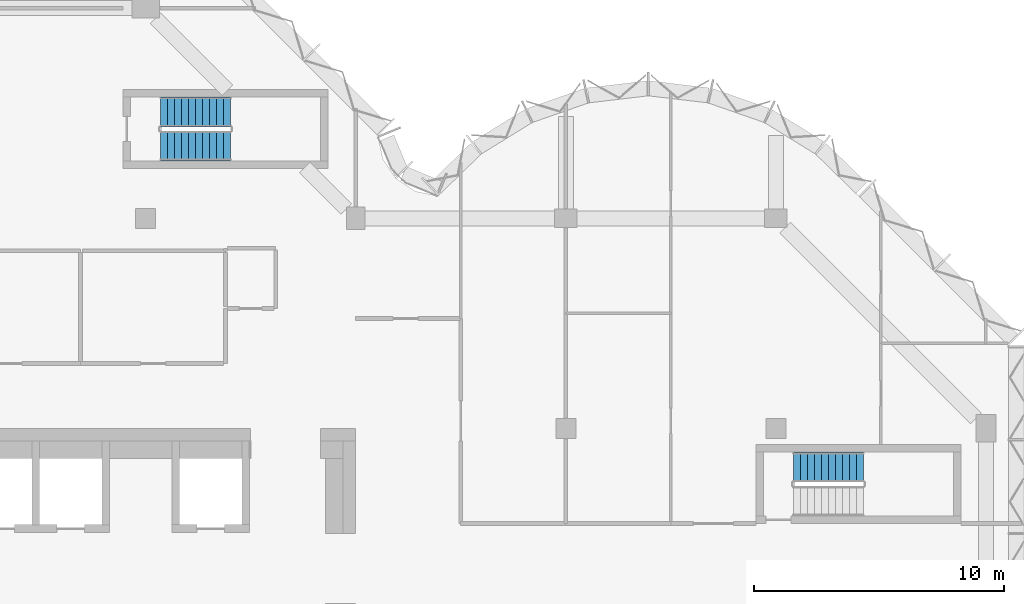
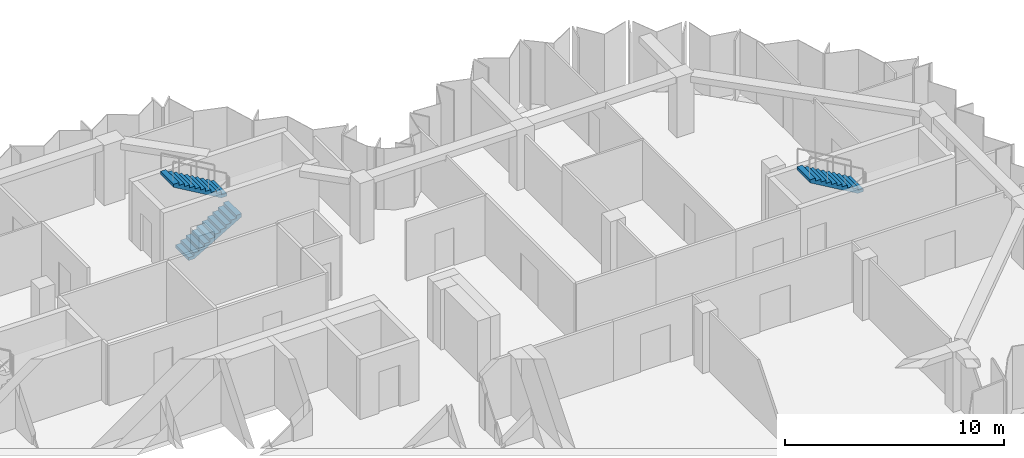
# One storey, part 8 of 10: 3 stair flights, 2 elements without a shape of their own.
"""IFC4 building model written with IfcOpenShell, lengths in metres."""

from ifc_helpers import new_model, si_unit, direction, frame, origin, place, context, subcontext, project, spatial, polyline, outline, extrude, material, type_object, element, aggregate, save


model = new_model("IFC4")

# Units and contexts
model_context = context("Model", 3, precision=1e-05, world=origin(), true_north=direction((0.0, 1.0)))
body_context = subcontext(model_context, "Body", "Model", "MODEL_VIEW")
ifc_project = project(units=[si_unit("LENGTHUNIT", "METRE"), si_unit("AREAUNIT", "SQUARE_METRE"), si_unit("VOLUMEUNIT", "CUBIC_METRE"), si_unit("PLANEANGLEUNIT", "RADIAN"), si_unit("MASSUNIT", "GRAM", prefix="KILO")], contexts=[model_context])

# Site, building, storey
site_placement = place(None, origin())
site = spatial("IfcSite", under=ifc_project, at=site_placement, CompositionType="ELEMENT")
building_placement = place(site_placement, origin())
building = spatial("IfcBuilding", under=site, at=building_placement, Name="Brevane Broadcast Tower", CompositionType="ELEMENT")
storey_placement = place(building_placement, frame((0.0, 0.0, 230.10009765625)))
storey = spatial("IfcBuildingStorey", under=building, at=storey_placement, Name="L58", CompositionType="ELEMENT", Elevation=230.10009765625)

# Stair, stair flights
ifc_material = material(Name="Concrete C50/60", Category="concrete")
stair_type = type_object("IfcStairType", Name="Exit stair 22 risers", PredefinedType="HALF_TURN_STAIR", material=ifc_material)
stair_1_placement = place(storey_placement, origin())
stair_1 = element("IfcStair", 1, at=stair_1_placement, inside=storey, type_object=stair_type, Name="L58 Exit stair ST-3", PredefinedType="HALF_TURN_STAIR")
stair_flight_type = type_object("IfcStairFlightType", Name="Exit stair flight 22 risers", PredefinedType="STRAIGHT", material=ifc_material)
stair_flight_1_placement = place(storey_placement, frame((17.39990234375, 28.10009765625, 0.0), z_axis=(0.0, 0.0, 1.0), x_axis=(1.0, 0.0, 0.0)))
stair_flight_1 = element("IfcStairFlight", 2, at=stair_flight_1_placement, type_object=stair_flight_type, Name="ST-3 flight 1", NumberOfRisers=11, NumberOfTreads=10, PredefinedType="STRAIGHT", RiserHeight=0.163636364, TreadLength=0.28, context=body_context, shape_type="SweptSolid", body=[
    extrude(outline(polyline([(0.0, 0.0), (0.0, 0.16357421875), (0.280029296875, 0.16357421875), (0.280029296875, 0.327392578125), (0.56005859375, 0.327392578125), (0.56005859375, 0.490966796875), (0.840087890625, 0.490966796875), (0.840087890625, 0.654541015625), (1.1201171875, 0.654541015625), (1.1201171875, 0.818115234375), (1.39990234375, 0.818115234375), (1.39990234375, 0.98193359375), (1.679931640625, 0.98193359375), (1.679931640625, 1.1455078125), (1.9599609375, 1.1455078125), (1.9599609375, 1.30908203125), (2.239990234375, 1.30908203125), (2.239990234375, 1.47265625), (2.52001953125, 1.47265625), (2.52001953125, 1.636474609375), (2.800048828125, 1.636474609375), (2.800048828125, 1.800048828125), (2.800048828125, 1.462646484375), (0.297119140625, 0.0), (0.0, 0.0)])), frame((0.0, 0.60009765625, 0.0), z_axis=(0.0, -1.0, 0.0), x_axis=(1.0, 0.0, 0.0)), (0.0, 0.0, 1.0), 1.199951171875),
])
stair_flight_2_placement = place(storey_placement, frame((20.199951171875, 29.449951171875, 1.7998046875), z_axis=(0.0, 0.0, 1.0), x_axis=(-1.0, 0.0, 0.0)))
stair_flight_2 = element("IfcStairFlight", 3, at=stair_flight_2_placement, type_object=stair_flight_type, Name="ST-3 flight 2", NumberOfRisers=11, NumberOfTreads=10, PredefinedType="STRAIGHT", RiserHeight=0.163636364, TreadLength=0.28, context=body_context, shape_type="SweptSolid", body=[
    extrude(outline(polyline([(0.0, 0.0), (0.0, 0.16357421875), (0.280029296875, 0.16357421875), (0.280029296875, 0.327392578125), (0.56005859375, 0.327392578125), (0.56005859375, 0.490966796875), (0.840087890625, 0.490966796875), (0.840087890625, 0.654541015625), (1.1201171875, 0.654541015625), (1.1201171875, 0.818115234375), (1.39990234375, 0.818115234375), (1.39990234375, 0.98193359375), (1.679931640625, 0.98193359375), (1.679931640625, 1.1455078125), (1.9599609375, 1.1455078125), (1.9599609375, 1.30908203125), (2.239990234375, 1.30908203125), (2.239990234375, 1.47265625), (2.52001953125, 1.47265625), (2.52001953125, 1.636474609375), (2.800048828125, 1.636474609375), (2.800048828125, 1.800048828125), (2.800048828125, 1.462646484375), (0.297119140625, 0.0), (0.0, 0.0)])), frame((0.0, 0.60009765625, 0.0), z_axis=(0.0, -1.0, 0.0), x_axis=(1.0, 0.0, 0.0)), (0.0, 0.0, 1.0), 1.199951171875),
])
aggregate(stair_1, [stair_flight_1, stair_flight_2])

# Stair, stair flight
stair_2_placement = place(storey_placement, origin())
stair_2 = element("IfcStair", 4, at=stair_2_placement, inside=storey, type_object=stair_type, Name="L58 Exit stair ST-4", PredefinedType="HALF_TURN_STAIR")
stair_flight_3_placement = place(storey_placement, frame((45.5, 15.25, 1.7998046875), z_axis=(0.0, 0.0, 1.0), x_axis=(-1.0, 0.0, 0.0)))
stair_flight_3 = element("IfcStairFlight", 5, at=stair_flight_3_placement, type_object=stair_flight_type, Name="ST-4 flight 2", NumberOfRisers=11, NumberOfTreads=10, PredefinedType="STRAIGHT", RiserHeight=0.163636364, TreadLength=0.28, context=body_context, shape_type="SweptSolid", body=[
    extrude(outline(polyline([(0.0, 0.0), (0.0, 0.16357421875), (0.280029296875, 0.16357421875), (0.280029296875, 0.327392578125), (0.56005859375, 0.327392578125), (0.56005859375, 0.490966796875), (0.840087890625, 0.490966796875), (0.840087890625, 0.654541015625), (1.1201171875, 0.654541015625), (1.1201171875, 0.818115234375), (1.39990234375, 0.818115234375), (1.39990234375, 0.98193359375), (1.679931640625, 0.98193359375), (1.679931640625, 1.1455078125), (1.9599609375, 1.1455078125), (1.9599609375, 1.30908203125), (2.239990234375, 1.30908203125), (2.239990234375, 1.47265625), (2.52001953125, 1.47265625), (2.52001953125, 1.636474609375), (2.800048828125, 1.636474609375), (2.800048828125, 1.800048828125), (2.800048828125, 1.462646484375), (0.297119140625, 0.0), (0.0, 0.0)])), frame((0.0, 0.60009765625, 0.0), z_axis=(0.0, -1.0, 0.0), x_axis=(1.0, 0.0, 0.0)), (0.0, 0.0, 1.0), 1.199951171875),
])
aggregate(stair_2, [stair_flight_3])

save(model, "model.ifc")
